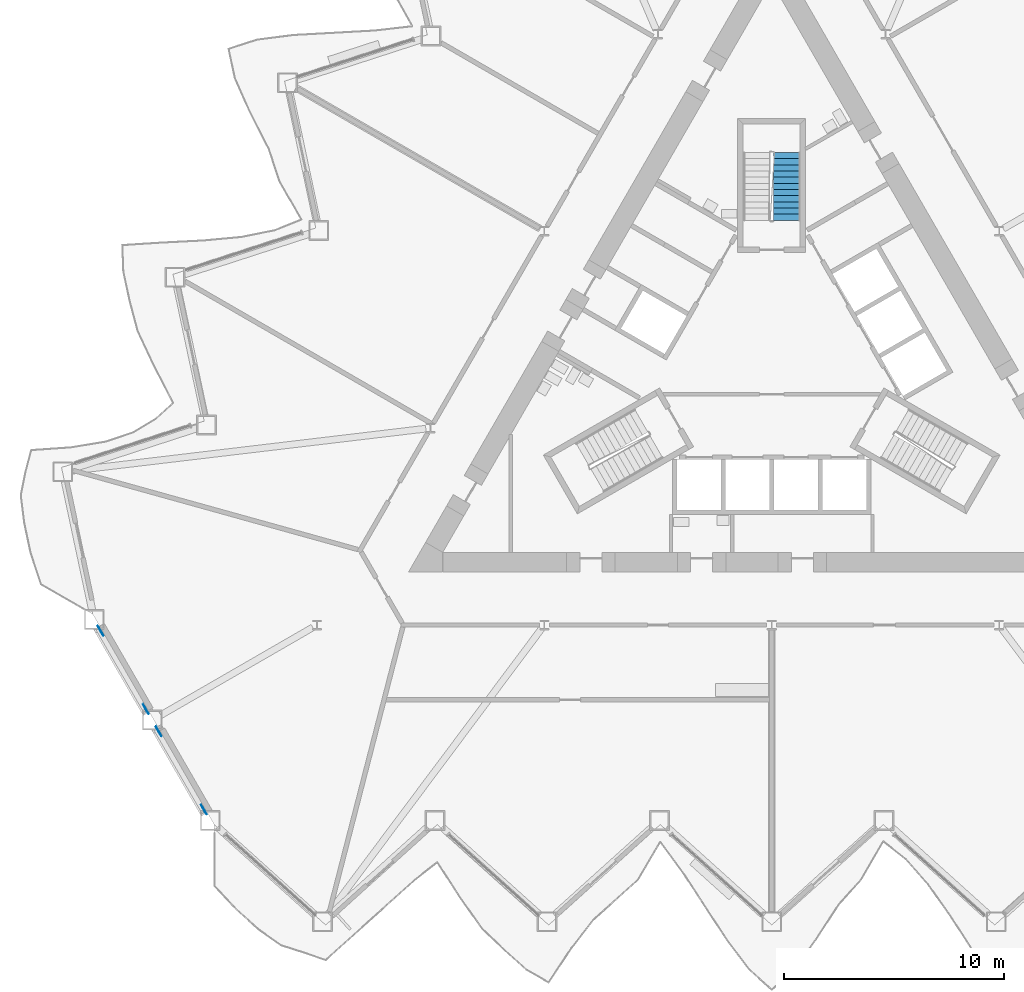
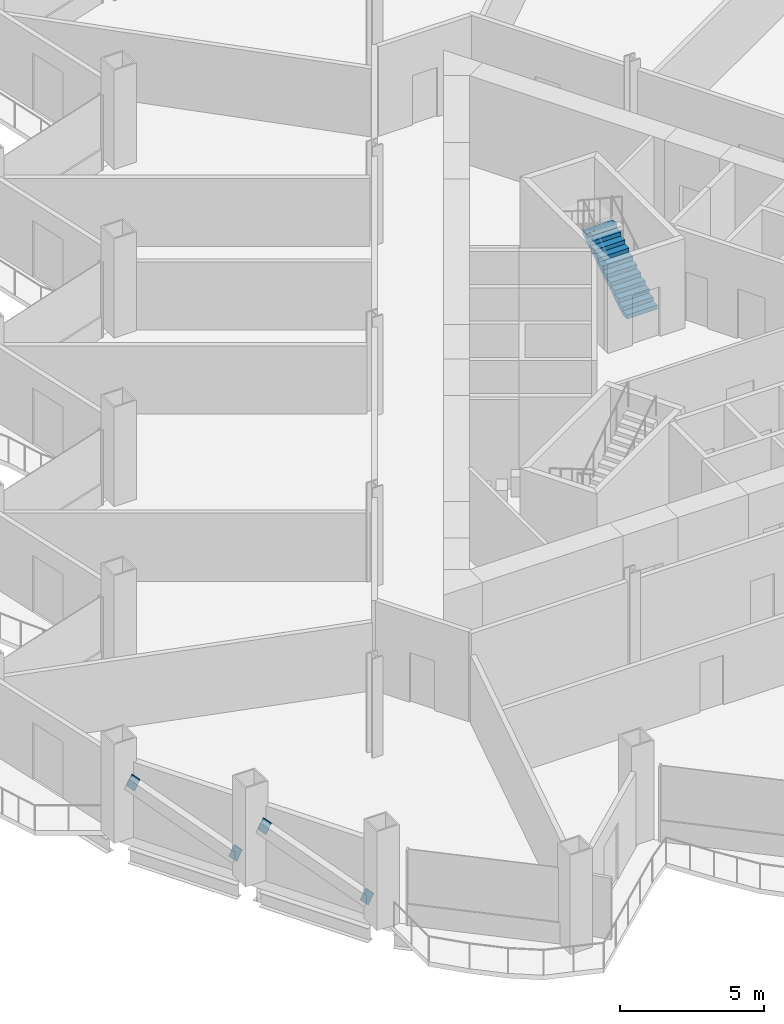
# One storey, part 14 of 21: 4 discrete accessories, 1 stair flight, 1 element without a shape of its own.
"""IFC4 building model written with IfcOpenShell, lengths in metres."""

import ifcopenshell
import ifcopenshell.guid

model = None  # the IFC model being written
_history = None  # IfcOwnerHistory: only IFC2X3 demands one
_inside = {}  # id of a spatial element -> (the spatial element, [elements in it])
_under = {}  # id of a project, library or spatial element -> (it, [spatial elements below it])
_declared = {}  # id of a project -> (the project, [libraries it declares])
_typed = {}  # id of a type object -> (the type object, [elements of that type])
_made_of = {}  # id of a material, layer set ... -> (it, [elements and type objects made of it])


def new_model(schema):
    """Start an empty IFC model of exactly this schema.

    Asked for "IFC4X3", IfcOpenShell would pick the latest addendum, in which some entities
    have other attributes; the version numbers below select the first issue.
    IFC2X3 requires an IfcOwnerHistory on every rooted entity: one is made here for all.
    """
    global model, _history
    if schema == "IFC4X3":
        model = ifcopenshell.file(schema_version=(4, 3, 0, 0))
    else:
        model = ifcopenshell.file(schema=schema)
    _inside.clear()
    _under.clear()
    _declared.clear()
    _typed.clear()
    _made_of.clear()
    _history = None
    if model.schema == "IFC2X3":
        org = make("IfcOrganization", Name="unknown")
        user = make(
            "IfcPersonAndOrganization",
            ThePerson=make("IfcPerson", FamilyName="unknown"),
            TheOrganization=org,
        )
        app = make(
            "IfcApplication",
            ApplicationDeveloper=org,
            Version="unknown",
            ApplicationFullName="unknown",
            ApplicationIdentifier="unknown",
        )
        _history = make(
            "IfcOwnerHistory",
            OwningUser=user,
            OwningApplication=app,
            ChangeAction="ADDED",
            CreationDate=0,
        )
    return model


def make(cls, **values):
    """One entity of the class cls with the attributes given. An attribute that is None is left unset."""
    return model.create_entity(
        cls, **{name: value for name, value in values.items() if value is not None}
    )


def rooted(cls, **values):
    """An entity with a GlobalId (a new one), such as an element, a storey or a relation."""
    return make(cls, GlobalId=ifcopenshell.guid.new(), OwnerHistory=_history, **values)


def si_unit(unit_type, name, prefix=None):
    """IfcSIUnit, for example si_unit("LENGTHUNIT", "METRE", prefix="MILLI")."""
    return make("IfcSIUnit", UnitType=unit_type, Prefix=prefix, Name=name)


def assignment(units):
    """IfcUnitAssignment: the units of a project."""
    return None if units is None else make("IfcUnitAssignment", Units=units)


def point(xyz):
    """IfcCartesianPoint."""
    return None if xyz is None else make("IfcCartesianPoint", Coordinates=xyz)


def direction(xyz):
    """IfcDirection."""
    return None if xyz is None else make("IfcDirection", DirectionRatios=xyz)


def frame(location, z_axis=None, x_axis=None):
    """IfcAxis2Placement3D, a coordinate frame: its origin and axes. An axis left out is left unset."""
    return make(
        "IfcAxis2Placement3D",
        Location=point(location),
        Axis=direction(z_axis),
        RefDirection=direction(x_axis),
    )


def frame_2d(location, x_axis=None):
    """IfcAxis2Placement2D, a coordinate frame in the plane: its origin and x axis."""
    return make(
        "IfcAxis2Placement2D", Location=point(location), RefDirection=direction(x_axis)
    )


def origin():
    """The frame at (0, 0, 0) with its axes left unset."""
    return frame((0.0, 0.0, 0.0))


def origin_2d():
    """The frame at (0, 0) in the plane with its x axis left unset."""
    return frame_2d((0.0, 0.0))


def place(relative_to, where):
    """IfcLocalPlacement: puts the frame where relative to a parent placement (None: the world)."""
    return make(
        "IfcLocalPlacement", PlacementRelTo=relative_to, RelativePlacement=where
    )


def context(
    kind, dimensions, precision=None, world=None, true_north=None, identifier=None
):
    """IfcGeometricRepresentationContext, for example the 3D "Model" context."""
    return make(
        "IfcGeometricRepresentationContext",
        ContextIdentifier=identifier,
        ContextType=kind,
        CoordinateSpaceDimension=dimensions,
        Precision=precision,
        WorldCoordinateSystem=world,
        TrueNorth=true_north,
    )


def subcontext(parent, identifier, kind, view, scale=None):
    """IfcGeometricRepresentationSubContext, for example "Body" below "Model"."""
    return make(
        "IfcGeometricRepresentationSubContext",
        ContextIdentifier=identifier,
        ContextType=kind,
        ParentContext=parent,
        TargetScale=scale,
        TargetView=view,
    )


def project(units=None, contexts=None):
    """IfcProject with its units and contexts."""
    return rooted(
        "IfcProject",
        Name="project",
        RepresentationContexts=contexts,
        UnitsInContext=assignment(units),
    )


def spatial(cls, under=None, at=None, **own):
    """A site, building, storey or space (cls), placed at a placement, below another one or the project."""
    s = rooted(cls, ObjectPlacement=at, **own)
    if under is not None:
        _under.setdefault(under.id(), (under, []))[1].append(s)
    return s


def polyline(points):
    """IfcPolyline through the points."""
    return make("IfcPolyline", Points=[point(p) for p in points])


def profile(cls, at=None, kind="AREA", **sizes):
    """A parametric profile (cls). Its sizes go by their IFC names, for example OverallWidth=200.0."""
    return make(cls, ProfileType=kind, Position=at, **sizes)


def rectangle(**sizes):
    """IfcRectangleProfileDef."""
    return profile("IfcRectangleProfileDef", **sizes)


def outline(outer, holes=None, kind="AREA"):
    """IfcArbitraryClosedProfileDef: a profile drawn as a closed curve; with holes, ...WithVoids."""
    if holes is None:
        return make("IfcArbitraryClosedProfileDef", ProfileType=kind, OuterCurve=outer)
    return make(
        "IfcArbitraryProfileDefWithVoids",
        ProfileType=kind,
        OuterCurve=outer,
        InnerCurves=holes,
    )


def extrude(swept, where, along, depth):
    """IfcExtrudedAreaSolid: the profile swept, set in the frame where, extruded along a direction by depth."""
    return make(
        "IfcExtrudedAreaSolid",
        SweptArea=swept,
        Position=where,
        ExtrudedDirection=direction(along),
        Depth=depth,
    )


def shape(context_of_items, identifier, shape_type, items):
    """IfcShapeRepresentation: the items that make up one representation, for example the "Body"."""
    return make(
        "IfcShapeRepresentation",
        ContextOfItems=context_of_items,
        RepresentationIdentifier=identifier,
        RepresentationType=shape_type,
        Items=items,
    )


def material(Name=None, Category=None):
    """IfcMaterial."""
    return make("IfcMaterial", Name=Name, Category=Category)


def material_profile(
    of_material, cross_section, Name=None, Category=None, Priority=None
):
    """IfcMaterialProfile: a cross section and its material."""
    return make(
        "IfcMaterialProfile",
        Name=Name,
        Material=of_material,
        Profile=cross_section,
        Priority=Priority,
        Category=Category,
    )


def profile_set(profiles, Name=None, composite=None):
    """IfcMaterialProfileSet."""
    return make(
        "IfcMaterialProfileSet",
        Name=Name,
        MaterialProfiles=profiles,
        CompositeProfile=composite,
    )


def made_of(thing, what):
    """Note that an element or type object is made of a material, layer set ...; save() writes the relation."""
    if what is not None:
        _made_of.setdefault(what.id(), (what, []))[1].append(thing)
    return thing


def type_object(cls, material=None, **own):
    """A type object (cls), such as IfcWallType, which elements share."""
    return made_of(rooted(cls, **own), material)


def element(
    cls,
    number,
    at=None,
    inside=None,
    cuts=None,
    type_object=None,
    material=None,
    context=None,
    identifier="Body",
    shape_type=None,
    held_by="IfcProductDefinitionShape",
    body=None,
    shapes=None,
    **own,
):
    """One element of the class cls, such as IfcWall. Its Tag is "e" and its number.

    at: its placement. inside: the storey or other place that contains it. cuts: it is an
    opening in that element (IfcRelVoidsElement). A single representation is given by context,
    identifier, shape_type and body (its items); several are given by shapes. held_by: the class
    of the entity that holds the representations. save() writes the other relations.
    """
    e = rooted(cls, Tag="e%d" % number, ObjectPlacement=at, **own)
    if body is not None:
        shapes = [shape(context, identifier, shape_type, body)]
    if shapes is not None:
        e.Representation = make(held_by, Representations=shapes)
    if inside is not None:
        _inside.setdefault(inside.id(), (inside, []))[1].append(e)
    if cuts is not None:
        rooted(
            "IfcRelVoidsElement", RelatingBuildingElement=cuts, RelatedOpeningElement=e
        )
    if type_object is not None:
        _typed.setdefault(type_object.id(), (type_object, []))[1].append(e)
    return made_of(e, material)


def aggregate(whole, parts):
    """IfcRelAggregates: a whole, such as a stair, and the parts it consists of."""
    return rooted("IfcRelAggregates", RelatingObject=whole, RelatedObjects=parts)


def save(model, path):
    """Write the relations noted so far, then the file.

    IfcRelAggregates (storeys below a building ...), IfcRelContainedInSpatialStructure (elements
    in a storey), IfcRelDefinesByType, IfcRelAssociatesMaterial and IfcRelDeclares: one each for
    every whole, place, type object, material and project.
    """
    for whole, parts in _under.values():
        aggregate(whole, parts)
    for where, things in _inside.values():
        rooted(
            "IfcRelContainedInSpatialStructure",
            RelatedElements=things,
            RelatingStructure=where,
        )
    for kind, things in _typed.values():
        rooted("IfcRelDefinesByType", RelatedObjects=things, RelatingType=kind)
    for what, things in _made_of.values():
        rooted("IfcRelAssociatesMaterial", RelatedObjects=things, RelatingMaterial=what)
    for by, libraries in _declared.values():
        rooted("IfcRelDeclares", RelatingContext=by, RelatedDefinitions=libraries)
    model.write(path)


model = new_model("IFC4")

# Units and contexts
model_context = context("Model", 3, precision=1e-05, world=origin(), true_north=direction((0.0, 1.0)))
body_context = subcontext(model_context, "Body", "Model", "MODEL_VIEW")
ifc_project = project(units=[si_unit("LENGTHUNIT", "METRE"), si_unit("AREAUNIT", "SQUARE_METRE"), si_unit("VOLUMEUNIT", "CUBIC_METRE"), si_unit("PLANEANGLEUNIT", "RADIAN"), si_unit("MASSUNIT", "GRAM", prefix="KILO")], contexts=[model_context])

# Site, building, storey
site_placement = place(None, origin())
site = spatial("IfcSite", under=ifc_project, at=site_placement, CompositionType="ELEMENT")
building_placement = place(site_placement, origin())
building = spatial("IfcBuilding", under=site, at=building_placement, Name="Cormorant Prow Tower", CompositionType="ELEMENT")
storey_placement = place(building_placement, frame((0.0, 0.0, 141.60009765625)))
storey = spatial("IfcBuildingStorey", under=building, at=storey_placement, Name="L30", CompositionType="ELEMENT", Elevation=141.60009765625)

# Stair, stair flight
ifc_material_1 = material(Name="Exit stair 24 risers")
stair_type = type_object("IfcStairType", Name="Exit stair 24 risers", PredefinedType="HALF_TURN_STAIR", material=ifc_material_1)
stair_placement = place(storey_placement, origin())
stair = element("IfcStair", 1, at=stair_placement, inside=storey, type_object=stair_type, Name="L30 Exit stair ST3", PredefinedType="HALF_TURN_STAIR")
ifc_material_2 = material(Name="Concrete 5000 psi", Category="concrete")
stair_flight_type = type_object("IfcStairFlightType", Name="Stair flight 1219", PredefinedType="STRAIGHT", material=ifc_material_2)
stair_flight_placement = place(storey_placement, frame((0.6845703125, 6.455810546875, 0.0), z_axis=(0.0, 0.0, 1.0), x_axis=(0.0, 1.0, 0.0)))
stair_flight = element("IfcStairFlight", 2, at=stair_flight_placement, type_object=stair_flight_type, Name="ST3 flight 1", NumberOfRisers=12, NumberOfTreads=11, PredefinedType="STRAIGHT", RiserHeight=0.175, TreadLength=0.28, context=body_context, shape_type="SweptSolid", body=[
    extrude(outline(polyline([(0.0, 0.0), (0.0, 0.175048828125), (0.280029296875, 0.175048828125), (0.280029296875, 0.35009765625), (0.56005859375, 0.35009765625), (0.56005859375, 0.52490234375), (0.840087890625, 0.52490234375), (0.840087890625, 0.699951171875), (1.1201171875, 0.699951171875), (1.1201171875, 0.875), (1.39990234375, 0.875), (1.39990234375, 1.050048828125), (1.679931640625, 1.050048828125), (1.679931640625, 1.22509765625), (1.9599609375, 1.22509765625), (1.9599609375, 1.39990234375), (2.239990234375, 1.39990234375), (2.239990234375, 1.574951171875), (2.52001953125, 1.574951171875), (2.52001953125, 1.75), (2.800048828125, 1.75), (2.800048828125, 1.925048828125), (3.080078125, 1.925048828125), (3.080078125, 2.10009765625), (3.080078125, 1.748291015625), (0.28271484375, 0.0), (0.0, 0.0)])), frame((0.0, 0.609375, 0.0), z_axis=(0.0, -1.0, 0.0), x_axis=(1.0, 0.0, 0.0)), (0.0, 0.0, 1.0), 1.218994140625),
])
aggregate(stair, [stair_flight])

# Discrete accessories
ifc_material_3 = material(Name="Structural steel ASTM A500 Gr C", Category="steel")
ifc_material_profile = material_profile(ifc_material_3, rectangle(XDim=0.031982421875, YDim=0.60791015625, at=origin_2d()), Name="Gusset plate 32x608")
ifc_profile_set = profile_set([ifc_material_profile], Name="Structural steel ASTM A500 Gr C")
discrete_accessory_type = type_object("IfcDiscreteAccessoryType", Name="Gusset plate 32x608", PredefinedType="BRACKET", material=ifc_profile_set)
for number, where, z_axis, x_axis, name in (
    (3, (-28.5087890625, -15.59521484375, 0.88232421875), (0.467903125124, -0.810288273314, -0.352844979601), (0.865987003449, 0.500066505434, 0.0), "Gusset plate GP1 L30.WSW00.g0"),
    (4, (-30.39501953125, -12.328125, 2.306396484375), (-0.467903125124, 0.810288273314, 0.352844979601), (-0.865987003449, -0.500066505434, 0.0), "Gusset plate GP1 L30.WSW00.g1"),
    (5, (-25.8740234375, -20.158935546875, 0.88232421875), (0.467903125124, -0.810288273314, -0.352844979601), (0.865987003449, 0.500066505434, 0.0), "Gusset plate GP1 L30.WSW01.g0"),
):
    element("IfcDiscreteAccessory", number, at=place(storey_placement, frame(where, z_axis=z_axis, x_axis=x_axis)), inside=storey, type_object=discrete_accessory_type, Name=name, PredefinedType="BRACKET", context=body_context, shape_type="SweptSolid", body=[
        extrude(rectangle(XDim=0.031982421875, YDim=0.60791015625, at=origin_2d()), origin(), (0.0, 0.0, 1.0), 0.35009765625),
    ])
discrete_accessory_placement = place(storey_placement, frame((-27.76025390625, -16.8916015625, 2.306396484375), z_axis=(-0.468167615655, 0.810048586848, 0.353044431477), x_axis=(-0.865800459427, -0.500389412813, 0.0)))
element("IfcDiscreteAccessory", 6, at=discrete_accessory_placement, inside=storey, type_object=discrete_accessory_type, Name="Gusset plate GP1 L30.WSW01.g1", PredefinedType="BRACKET", context=body_context, shape_type="SweptSolid", body=[
    extrude(rectangle(XDim=0.031982421875, YDim=0.60791015625, at=origin_2d()), origin(), (0.0, 0.0, 1.0), 0.349853515625),
])

save(model, "model.ifc")
